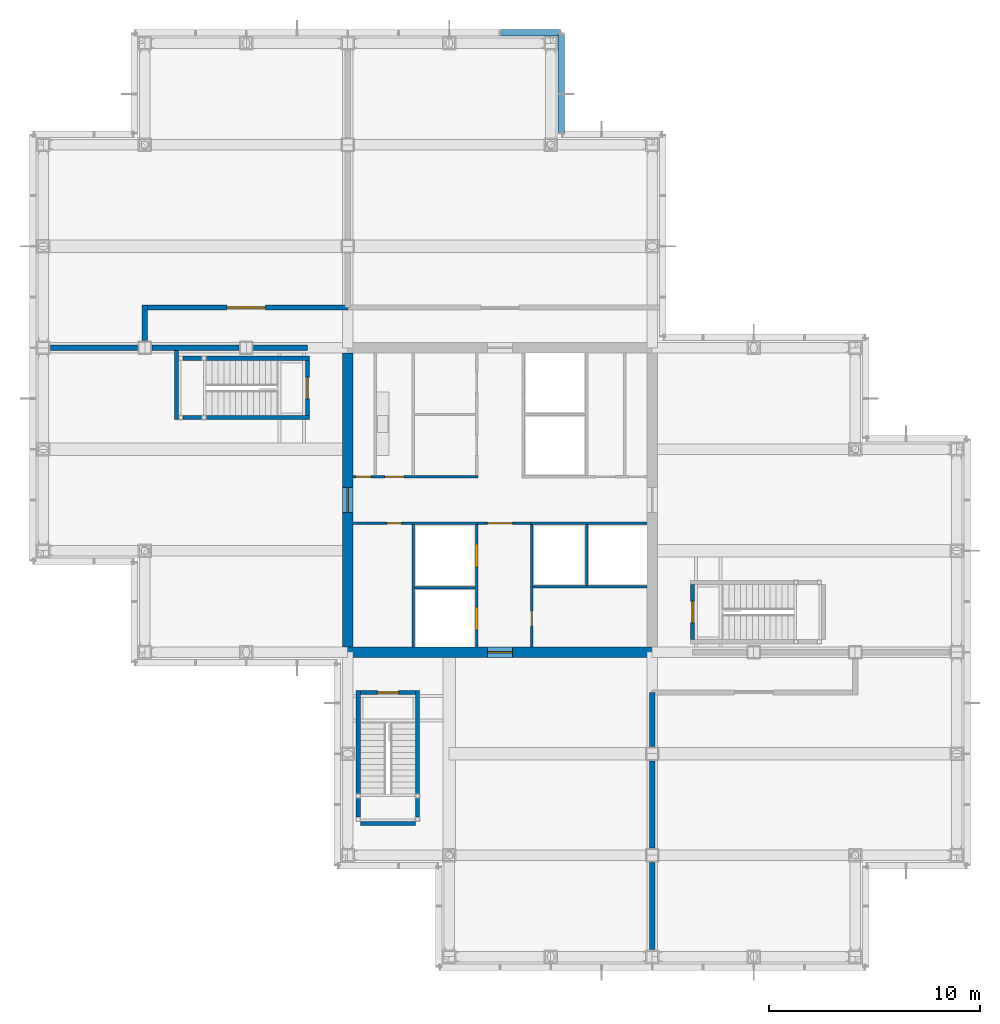
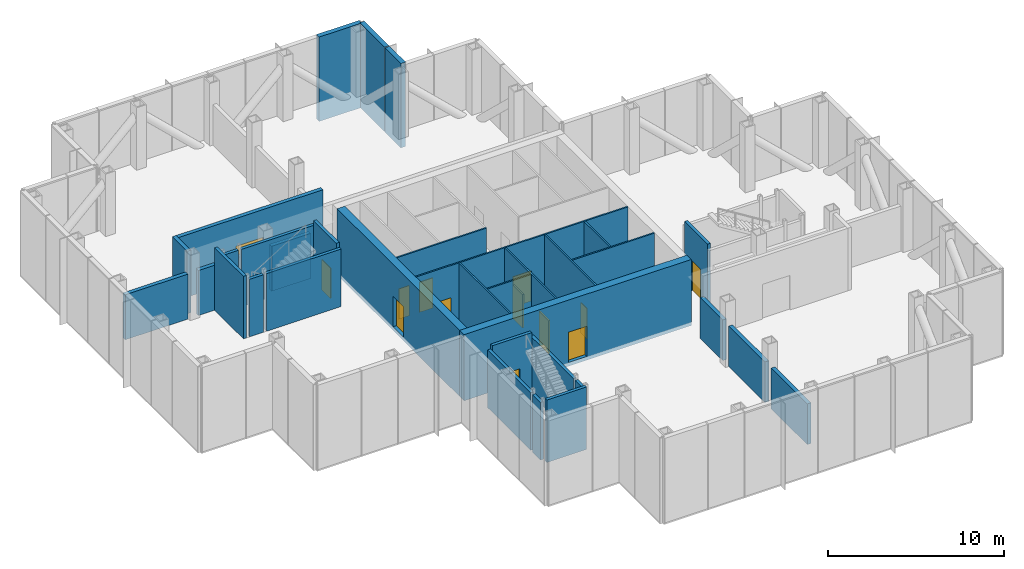
# One storey, part 13 of 17: 33 walls, 13 doors, 3 plates, 13 openings, 2 elements without a shape of their own.
"""IFC4 building model written with IfcOpenShell, lengths in metres."""

from ifc_helpers import new_model, si_unit, direction, frame, frame_2d, origin, origin_2d, place, context, subcontext, project, spatial, rectangle, extrude, material, layer, layer_set, type_object, element, fill, aggregate, save


model = new_model("IFC4")

# Units and contexts
model_context = context("Model", 3, precision=1e-05, world=origin(), true_north=direction((0.0, 1.0)))
body_context = subcontext(model_context, "Body", "Model", "MODEL_VIEW")
ifc_project = project(units=[si_unit("LENGTHUNIT", "METRE"), si_unit("AREAUNIT", "SQUARE_METRE"), si_unit("VOLUMEUNIT", "CUBIC_METRE"), si_unit("PLANEANGLEUNIT", "RADIAN"), si_unit("MASSUNIT", "GRAM", prefix="KILO")], contexts=[model_context])

# Site, building, storey
site_placement = place(None, origin())
site = spatial("IfcSite", under=ifc_project, at=site_placement, CompositionType="ELEMENT")
building_placement = place(site_placement, origin())
building = spatial("IfcBuilding", under=site, at=building_placement, Name="Kvirike Care Tower", CompositionType="ELEMENT")
storey_placement = place(building_placement, frame((0.0, 0.0, 136.5)))
storey = spatial("IfcBuildingStorey", under=building, at=storey_placement, Name="L37", CompositionType="ELEMENT", Elevation=136.5)

# Curtain wall, plates
ifc_material_1 = material(Name="Anodised aluminium stick system", Category="aluminium")
curtain_wall_type = type_object("IfcCurtainWallType", Name="CW-L LOUVRED PLANT SCREEN", PredefinedType="NOTDEFINED", material=ifc_material_1)
curtain_wall_1_placement = place(storey_placement, origin())
curtain_wall_1 = element("IfcCurtainWall", 1, at=curtain_wall_1_placement, inside=storey, type_object=curtain_wall_type, Name="Curtain wall L37 face 7", PredefinedType="NOTDEFINED")
ifc_material_2 = material(Name="Bronze anodised aluminium louvre", Category="aluminium")
ifc_layer_1 = layer(ifc_material_2, 0.300048828125)
ifc_layer_set_1 = layer_set([ifc_layer_1], Name="BRONZE LOUVRE PANEL")
plate_type = type_object("IfcPlateType", Name="BRONZE LOUVRE PANEL", PredefinedType="CURTAIN_PANEL", material=ifc_layer_set_1)
plate_1_placement = place(storey_placement, frame((24.5, 54.266357421875, -1.35009765625), z_axis=(0.0, 0.0, 1.0), x_axis=(0.0, 1.0, 0.0)))
plate_1 = element("IfcPlate", 2, at=plate_1_placement, type_object=plate_type, Name="CW-L panel L37 face 7.1", PredefinedType="CURTAIN_PANEL", context=body_context, shape_type="SweptSolid", body=[
    extrude(rectangle(XDim=1.802490234375, YDim=0.300048828125, at=origin_2d()), origin(), (0.0, 0.0, 1.0), 5.85009765625),
])
plate_2_placement = place(storey_placement, frame((24.5, 56.6337890625, -1.35009765625), z_axis=(0.0, 0.0, 1.0), x_axis=(0.0, 1.0, 0.0)))
plate_2 = element("IfcPlate", 3, at=plate_2_placement, type_object=plate_type, Name="CW-L panel L37 face 7.2", PredefinedType="CURTAIN_PANEL", context=body_context, shape_type="SweptSolid", body=[
    extrude(rectangle(XDim=2.802490234375, YDim=0.300048828125, at=origin_2d()), origin(), (0.0, 0.0, 1.0), 5.85009765625),
])
aggregate(curtain_wall_1, [plate_1, plate_2])

# Curtain wall, plate
curtain_wall_2_placement = place(storey_placement, origin())
curtain_wall_2 = element("IfcCurtainWall", 4, at=curtain_wall_2_placement, inside=storey, type_object=curtain_wall_type, Name="Curtain wall L37 face 8", PredefinedType="NOTDEFINED")
plate_3_placement = place(storey_placement, frame((23.03369140625, 58.10009765625, -1.35009765625), z_axis=(0.0, 0.0, 1.0), x_axis=(-1.0, 0.0, 0.0)))
plate_3 = element("IfcPlate", 5, at=plate_3_placement, type_object=plate_type, Name="CW-L panel L37 face 8.1", PredefinedType="CURTAIN_PANEL", context=body_context, shape_type="SweptSolid", body=[
    extrude(rectangle(XDim=2.802490234375, YDim=0.300048828125, at=origin_2d()), origin(), (0.0, 0.0, 1.0), 5.85009765625),
])
aggregate(curtain_wall_2, [plate_3])

# Wall, opening, door
ifc_material_3 = material(Name="Concrete C50/60", Category="concrete")
ifc_layer_2 = layer(ifc_material_3, 0.5)
ifc_layer_set_2 = layer_set([ifc_layer_2], Name="CORE WALL 500 C50-60")
wall_type_1 = type_object("IfcWallType", Name="CORE WALL 500 C50-60", PredefinedType="SHEAR", material=ifc_layer_set_2)
wall_1_placement = place(storey_placement, frame((14.14990234375, 28.800048828125, -0.25), z_axis=(0.0, 0.0, 1.0), x_axis=(1.0, 0.0, 0.0)))
wall_1 = element("IfcWall", 6, at=wall_1_placement, inside=storey, type_object=wall_type_1, Name="Core wall S L37", PredefinedType="SHEAR", context=body_context, shape_type="SweptSolid", body=[
    extrude(rectangle(XDim=14.900146484375, YDim=0.5, at=frame_2d((7.4501953125, 0.0))), origin(), (0.0, 0.0, 1.0), 4.580078125),
])
opening_1_placement = place(wall_1_placement, frame((6.85009765625, 0.0, 0.25)))
opening_1 = element("IfcOpeningElement", 7, at=opening_1_placement, cuts=wall_1, Name="Opening 37-020", PredefinedType="OPENING", context=body_context, shape_type="SweptSolid", body=[
    extrude(rectangle(XDim=1.199951171875, YDim=2.10009765625, at=frame_2d((0.60009765625, 1.050048828125))), frame((0.0, 0.260498046875, 0.0), z_axis=(0.0, -1.0, 0.0), x_axis=(1.0, 0.0, 0.0)), (0.0, 0.0, 1.0), 0.52099609375),
])
ifc_material_4 = material(Name="Timber door set", Category="wood")
door_type_1 = type_object("IfcDoorType", Name="CORE DOOR 1200", OperationType="SINGLE_SWING_LEFT", PredefinedType="DOOR", material=ifc_material_4)
door_1_placement = place(opening_1_placement, origin())
door_1 = element("IfcDoor", 8, at=door_1_placement, inside=storey, type_object=door_type_1, Name="Core door S L37", OperationType="SINGLE_SWING_LEFT", OverallHeight=2.10009765625, OverallWidth=1.199951171875, PredefinedType="DOOR", context=body_context, shape_type="SweptSolid", body=[
    extrude(rectangle(XDim=1.199951171875, YDim=2.10009765625, at=frame_2d((0.60009765625, 1.050048828125))), frame((0.0, 0.02685546875, 0.0), z_axis=(0.0, -1.0, 0.0), x_axis=(1.0, 0.0, 0.0)), (0.0, 0.0, 1.0), 0.053955078125),
])
fill(opening_1, door_1)

wall_2_placement = place(storey_placement, frame((14.39990234375, 42.949951171875, -0.25), z_axis=(0.0, 0.0, 1.0), x_axis=(0.0, -1.0, 0.0)))
wall_2 = element("IfcWall", 9, at=wall_2_placement, inside=storey, type_object=wall_type_1, Name="Core wall W L37", PredefinedType="SHEAR", context=body_context, shape_type="SweptSolid", body=[
    extrude(rectangle(XDim=13.89990234375, YDim=0.5, at=frame_2d((6.949951171875, 0.0))), origin(), (0.0, 0.0, 1.0), 4.580078125),
])
opening_2_placement = place(wall_2_placement, frame((6.35009765625, 0.0, 0.25)))
opening_2 = element("IfcOpeningElement", 10, at=opening_2_placement, cuts=wall_2, Name="Opening 37-021", PredefinedType="OPENING", context=body_context, shape_type="SweptSolid", body=[
    extrude(rectangle(XDim=1.199951171875, YDim=2.10009765625, at=frame_2d((0.60009765625, 1.050048828125))), frame((0.0, 0.260498046875, 0.0), z_axis=(0.0, -1.0, 0.0), x_axis=(1.0, 0.0, 0.0)), (0.0, 0.0, 1.0), 0.52099609375),
])
door_2_placement = place(opening_2_placement, origin())
door_2 = element("IfcDoor", 11, at=door_2_placement, inside=storey, type_object=door_type_1, Name="Core door W L37", OperationType="SINGLE_SWING_LEFT", OverallHeight=2.10009765625, OverallWidth=1.199951171875, PredefinedType="DOOR", context=body_context, shape_type="SweptSolid", body=[
    extrude(rectangle(XDim=1.199951171875, YDim=2.10009765625, at=frame_2d((0.60009765625, 1.050048828125))), frame((0.0, 0.02685546875, 0.0), z_axis=(0.0, -1.0, 0.0), x_axis=(1.0, 0.0, 0.0)), (0.0, 0.0, 1.0), 0.053955078125),
])
fill(opening_2, door_2)

ifc_material_5 = material(Name="Concrete blockwork", Category="masonry")
ifc_layer_3 = layer(ifc_material_5, 0.25)
ifc_layer_set_3 = layer_set([ifc_layer_3], Name="PLANT ROOM WALL 250")
wall_type_2 = type_object("IfcWallType", Name="PLANT ROOM WALL 250", PredefinedType="SOLIDWALL", material=ifc_layer_set_3)
wall_3_placement = place(storey_placement, frame((14.39990234375, 45.10009765625, 0.0), z_axis=(0.0, 0.0, 1.0), x_axis=(-1.0, 0.0, 0.0)))
wall_3 = element("IfcWall", 12, at=wall_3_placement, inside=storey, type_object=wall_type_2, Name="Plant Room Wall 250 L37", PredefinedType="SOLIDWALL", context=body_context, shape_type="SweptSolid", body=[
    extrude(rectangle(XDim=9.599853515625, YDim=0.25, at=frame_2d((4.7998046875, 0.0))), origin(), (0.0, 0.0, 1.0), 4.330078125),
])
opening_3_placement = place(wall_3_placement, frame((3.89990234375, 0.0, 0.0)))
opening_3 = element("IfcOpeningElement", 13, at=opening_3_placement, cuts=wall_3, Name="Opening 37-002", PredefinedType="OPENING", context=body_context, shape_type="SweptSolid", body=[
    extrude(rectangle(XDim=1.800048828125, YDim=2.39990234375, at=frame_2d((0.89990234375, 1.199951171875))), frame((0.0, 0.135498046875, 0.0), z_axis=(0.0, -1.0, 0.0), x_axis=(1.0, 0.0, 0.0)), (0.0, 0.0, 1.0), 0.27099609375),
])
ifc_material_6 = material(Name="Timber door set", Category="wood")
door_type_2 = type_object("IfcDoorType", Name="PLANT ROOM DOOR 1800", OperationType="DOUBLE_DOOR_SINGLE_SWING", PredefinedType="DOOR", material=ifc_material_6)
door_3_placement = place(opening_3_placement, frame((1.800048828125, 0.0, 0.0), z_axis=(0.0, 0.0, 1.0), x_axis=(-1.0, 0.0, 0.0)))
door_3 = element("IfcDoor", 14, at=door_3_placement, inside=storey, type_object=door_type_2, Name="Booster pump room door", OperationType="DOUBLE_DOOR_SINGLE_SWING", OverallHeight=2.39990234375, OverallWidth=1.800048828125, PredefinedType="DOOR", context=body_context, shape_type="SweptSolid", body=[
    extrude(rectangle(XDim=1.800048828125, YDim=2.39990234375, at=frame_2d((0.89990234375, 1.199951171875))), frame((0.0, 0.031982421875, 0.0), z_axis=(0.0, -1.0, 0.0), x_axis=(1.0, 0.0, 0.0)), (0.0, 0.0, 1.0), 0.06396484375),
])
fill(opening_3, door_3)

# Walls
wall_4_placement = place(storey_placement, frame((4.800048828125, 45.22509765625, 0.0), z_axis=(0.0, 0.0, 1.0), x_axis=(0.0, -1.0, 0.0)))
element("IfcWall", 15, at=wall_4_placement, inside=storey, type_object=wall_type_2, Name="Plant Room Wall 250 L37", PredefinedType="SOLIDWALL", context=body_context, shape_type="SweptSolid", body=[
    extrude(rectangle(XDim=1.68017578125, YDim=0.25, at=frame_2d((0.840087890625, 0.0))), origin(), (0.0, 0.0, 1.0), 4.330078125),
])
wall_5_placement = place(storey_placement, frame((12.5, 43.199951171875, 0.0), z_axis=(0.0, 0.0, 1.0), x_axis=(-1.0, 0.0, 0.0)))
element("IfcWall", 16, at=wall_5_placement, inside=storey, type_object=wall_type_2, Name="Plant Room Wall 250 L37", PredefinedType="SOLIDWALL", context=body_context, shape_type="SweptSolid", body=[
    extrude(rectangle(XDim=2.554931640625, YDim=0.25, at=frame_2d((1.27734375, 0.0))), origin(), (0.0, 0.0, 1.0), 3.1201171875),
])
wall_6_placement = place(storey_placement, frame((9.2548828125, 43.199951171875, 0.0), z_axis=(0.0, 0.0, 1.0), x_axis=(-1.0, 0.0, 0.0)))
element("IfcWall", 17, at=wall_6_placement, inside=storey, type_object=wall_type_2, Name="Plant Room Wall 250 L37", PredefinedType="SOLIDWALL", context=body_context, shape_type="SweptSolid", body=[
    extrude(rectangle(XDim=4.10986328125, YDim=0.25, at=frame_2d((2.054931640625, 0.0))), origin(), (0.0, 0.0, 1.0), 3.1201171875),
])
wall_7_placement = place(storey_placement, frame((4.455078125, 43.199951171875, 0.0), z_axis=(0.0, 0.0, 1.0), x_axis=(-1.0, 0.0, 0.0)))
element("IfcWall", 18, at=wall_7_placement, inside=storey, type_object=wall_type_2, Name="Plant Room Wall 250 L37", PredefinedType="SOLIDWALL", context=body_context, shape_type="SweptSolid", body=[
    extrude(rectangle(XDim=4.110107421875, YDim=0.25, at=frame_2d((2.05517578125, 0.0))), origin(), (0.0, 0.0, 1.0), 3.1201171875),
])
wall_8_placement = place(storey_placement, frame((28.800048828125, 14.7451171875, 0.0), z_axis=(0.0, 0.0, 1.0), x_axis=(0.0, 1.0, 0.0)))
element("IfcWall", 19, at=wall_8_placement, inside=storey, type_object=wall_type_2, Name="Plant Room Wall 250 L37", PredefinedType="SOLIDWALL", context=body_context, shape_type="SweptSolid", body=[
    extrude(rectangle(XDim=4.10986328125, YDim=0.25, at=frame_2d((2.054931640625, 0.0))), origin(), (0.0, 0.0, 1.0), 2.820068359375),
])
wall_9_placement = place(storey_placement, frame((28.800048828125, 19.544921875, 0.0), z_axis=(0.0, 0.0, 1.0), x_axis=(0.0, 1.0, 0.0)))
element("IfcWall", 20, at=wall_9_placement, inside=storey, type_object=wall_type_2, Name="Plant Room Wall 250 L37", PredefinedType="SOLIDWALL", context=body_context, shape_type="SweptSolid", body=[
    extrude(rectangle(XDim=4.110107421875, YDim=0.25, at=frame_2d((2.05517578125, 0.0))), origin(), (0.0, 0.0, 1.0), 2.820068359375),
])
wall_10_placement = place(storey_placement, frame((28.800048828125, 24.344970703125, 0.0), z_axis=(0.0, 0.0, 1.0), x_axis=(0.0, 1.0, 0.0)))
element("IfcWall", 21, at=wall_10_placement, inside=storey, type_object=wall_type_2, Name="Plant Room Wall 250 L37", PredefinedType="SOLIDWALL", context=body_context, shape_type="SweptSolid", body=[
    extrude(rectangle(XDim=2.554931640625, YDim=0.25, at=frame_2d((1.27734375, 0.0))), origin(), (0.0, 0.0, 1.0), 2.820068359375),
])

# Wall, openings, doors
ifc_material_7 = material(Name="Gypsum shaft wall system", Category="gypsum")
ifc_layer_4 = layer(ifc_material_7, 0.10009765625)
ifc_layer_set_4 = layer_set([ifc_layer_4], Name="SHAFT WALL 100")
wall_type_3 = type_object("IfcWallType", Name="SHAFT WALL 100", PredefinedType="SOLIDWALL", material=ifc_layer_set_4)
wall_11_placement = place(storey_placement, frame((20.5, 29.050048828125, 0.0), z_axis=(0.0, 0.0, 1.0), x_axis=(0.0, 1.0, 0.0)))
wall_11 = element("IfcWall", 22, at=wall_11_placement, inside=storey, type_object=wall_type_3, Name="Shaft Wall 100 L37", PredefinedType="SOLIDWALL", context=body_context, shape_type="SweptSolid", body=[
    extrude(rectangle(XDim=5.800048828125, YDim=0.10009765625, at=frame_2d((2.89990234375, 0.0))), origin(), (0.0, 0.0, 1.0), 4.330078125),
])
opening_4_placement = place(wall_11_placement, frame((0.800048828125, 0.0, 0.0)))
opening_4 = element("IfcOpeningElement", 23, at=opening_4_placement, cuts=wall_11, Name="Opening 37-007", PredefinedType="OPENING", context=body_context, shape_type="SweptSolid", body=[
    extrude(rectangle(XDim=1.10009765625, YDim=2.300048828125, at=frame_2d((0.550048828125, 1.14990234375))), frame((0.0, 0.060546875, 0.0), z_axis=(0.0, -1.0, 0.0), x_axis=(1.0, 0.0, 0.0)), (0.0, 0.0, 1.0), 0.12109375),
])
opening_5_placement = place(wall_11_placement, frame((3.77490234375, 0.0, 0.0)))
opening_5 = element("IfcOpeningElement", 24, at=opening_5_placement, cuts=wall_11, Name="Opening 37-008", PredefinedType="OPENING", context=body_context, shape_type="SweptSolid", body=[
    extrude(rectangle(XDim=1.10009765625, YDim=2.300048828125, at=frame_2d((0.550048828125, 1.14990234375))), frame((0.0, 0.060546875, 0.0), z_axis=(0.0, -1.0, 0.0), x_axis=(1.0, 0.0, 0.0)), (0.0, 0.0, 1.0), 0.12109375),
])
ifc_material_8 = material(Name="Aluminium door frame", Category="aluminium")
door_type_3 = type_object("IfcDoorType", Name="FIRE-FIGHTING LIFT LANDING DOOR 1100", OperationType="SLIDING_TO_LEFT", PredefinedType="DOOR", material=ifc_material_8)
door_4_placement = place(opening_4_placement, origin())
door_4 = element("IfcDoor", 25, at=door_4_placement, inside=storey, type_object=door_type_3, Name="Lift FF1 landing door", OperationType="SLIDING_TO_LEFT", OverallHeight=2.300048828125, OverallWidth=1.10009765625, PredefinedType="DOOR", context=body_context, shape_type="SweptSolid", body=[
    extrude(rectangle(XDim=1.10009765625, YDim=2.300048828125, at=frame_2d((0.550048828125, 1.14990234375))), frame((0.0, 0.0498046875, 0.0), z_axis=(0.0, -1.0, 0.0), x_axis=(1.0, 0.0, 0.0)), (0.0, 0.0, 1.0), 0.099609375),
])
fill(opening_4, door_4)
door_5_placement = place(opening_5_placement, origin())
door_5 = element("IfcDoor", 26, at=door_5_placement, inside=storey, type_object=door_type_3, Name="Lift FF2 landing door", OperationType="SLIDING_TO_LEFT", OverallHeight=2.300048828125, OverallWidth=1.10009765625, PredefinedType="DOOR", context=body_context, shape_type="SweptSolid", body=[
    extrude(rectangle(XDim=1.10009765625, YDim=2.300048828125, at=frame_2d((0.550048828125, 1.14990234375))), frame((0.0, 0.0498046875, 0.0), z_axis=(0.0, -1.0, 0.0), x_axis=(1.0, 0.0, 0.0)), (0.0, 0.0, 1.0), 0.099609375),
])
fill(opening_5, door_5)

# Wall, opening, door
wall_12_placement = place(storey_placement, frame((23.10009765625, 29.050048828125, 0.0), z_axis=(0.0, 0.0, 1.0), x_axis=(0.0, 1.0, 0.0)))
wall_12 = element("IfcWall", 27, at=wall_12_placement, inside=storey, type_object=wall_type_3, Name="Shaft Wall 100 L37", PredefinedType="SOLIDWALL", context=body_context, shape_type="SweptSolid", body=[
    extrude(rectangle(XDim=5.800048828125, YDim=0.10009765625, at=frame_2d((2.89990234375, 0.0))), origin(), (0.0, 0.0, 1.0), 4.330078125),
])
opening_6_placement = place(wall_12_placement, frame((1.0, 0.0, 0.0)))
opening_6 = element("IfcOpeningElement", 28, at=opening_6_placement, cuts=wall_12, Name="Opening 37-013", PredefinedType="OPENING", context=body_context, shape_type="SweptSolid", body=[
    extrude(rectangle(XDim=0.699951171875, YDim=2.10009765625, at=frame_2d((0.35009765625, 1.050048828125))), frame((0.0, 0.060546875, 0.0), z_axis=(0.0, -1.0, 0.0), x_axis=(1.0, 0.0, 0.0)), (0.0, 0.0, 1.0), 0.12109375),
])
ifc_material_9 = material(Name="Timber door set", Category="wood")
door_type_4 = type_object("IfcDoorType", Name="RISER DOOR 700", OperationType="SINGLE_SWING_LEFT", PredefinedType="DOOR", material=ifc_material_9)
door_6_placement = place(opening_6_placement, origin())
door_6 = element("IfcDoor", 29, at=door_6_placement, inside=storey, type_object=door_type_4, Name="Riser door", OperationType="SINGLE_SWING_RIGHT", OverallHeight=2.10009765625, OverallWidth=0.699951171875, PredefinedType="DOOR", context=body_context, shape_type="SweptSolid", body=[
    extrude(rectangle(XDim=0.699951171875, YDim=2.10009765625, at=frame_2d((0.35009765625, 1.050048828125))), frame((0.0, 0.02685546875, 0.0), z_axis=(0.0, -1.0, 0.0), x_axis=(1.0, 0.0, 0.0)), (0.0, 0.0, 1.0), 0.053955078125),
])
fill(opening_6, door_6)

wall_13_placement = place(storey_placement, frame((14.64990234375, 34.89990234375, 0.0), z_axis=(0.0, 0.0, 1.0), x_axis=(1.0, 0.0, 0.0)))
wall_13 = element("IfcWall", 30, at=wall_13_placement, inside=storey, type_object=wall_type_3, Name="Shaft Wall 100 L37", PredefinedType="SOLIDWALL", context=body_context, shape_type="SweptSolid", body=[
    extrude(rectangle(XDim=5.900146484375, YDim=0.10009765625, at=frame_2d((2.9501953125, 0.0))), origin(), (0.0, 0.0, 1.0), 4.330078125),
])
opening_7_placement = place(wall_13_placement, frame((1.60009765625, 0.0, 0.0)))
opening_7 = element("IfcOpeningElement", 31, at=opening_7_placement, cuts=wall_13, Name="Opening 37-014", PredefinedType="OPENING", context=body_context, shape_type="SweptSolid", body=[
    extrude(rectangle(XDim=0.699951171875, YDim=2.10009765625, at=frame_2d((0.35009765625, 1.050048828125))), frame((0.0, 0.060546875, 0.0), z_axis=(0.0, -1.0, 0.0), x_axis=(1.0, 0.0, 0.0)), (0.0, 0.0, 1.0), 0.12109375),
])
door_7_placement = place(opening_7_placement, frame((0.699951171875, 0.0, 0.0), z_axis=(0.0, 0.0, 1.0), x_axis=(-1.0, 0.0, 0.0)))
door_7 = element("IfcDoor", 32, at=door_7_placement, inside=storey, type_object=door_type_4, Name="Riser door", OperationType="SINGLE_SWING_RIGHT", OverallHeight=2.10009765625, OverallWidth=0.699951171875, PredefinedType="DOOR", context=body_context, shape_type="SweptSolid", body=[
    extrude(rectangle(XDim=0.699951171875, YDim=2.10009765625, at=frame_2d((0.35009765625, 1.050048828125))), frame((0.0, 0.02685546875, 0.0), z_axis=(0.0, -1.0, 0.0), x_axis=(1.0, 0.0, 0.0)), (0.0, 0.0, 1.0), 0.053955078125),
])
fill(opening_7, door_7)

# Wall
wall_14_placement = place(storey_placement, frame((23.050048828125, 34.89990234375, 0.0), z_axis=(0.0, 0.0, 1.0), x_axis=(1.0, 0.0, 0.0)))
element("IfcWall", 33, at=wall_14_placement, inside=storey, type_object=wall_type_3, Name="Shaft Wall 100 L37", PredefinedType="SOLIDWALL", context=body_context, shape_type="SweptSolid", body=[
    extrude(rectangle(XDim=5.5, YDim=0.10009765625, at=frame_2d((2.75, 0.0))), origin(), (0.0, 0.0, 1.0), 4.330078125),
])

# Wall, openings, doors
wall_15_placement = place(storey_placement, frame((14.64990234375, 37.10009765625, 0.0), z_axis=(0.0, 0.0, 1.0), x_axis=(1.0, 0.0, 0.0)))
wall_15 = element("IfcWall", 34, at=wall_15_placement, inside=storey, type_object=wall_type_3, Name="Shaft Wall 100 L37", PredefinedType="SOLIDWALL", context=body_context, shape_type="SweptSolid", body=[
    extrude(rectangle(XDim=5.900146484375, YDim=0.10009765625, at=frame_2d((2.9501953125, 0.0))), origin(), (0.0, 0.0, 1.0), 4.330078125),
])
opening_8_placement = place(wall_15_placement, frame((0.14990234375, 0.0, 0.0)))
opening_8 = element("IfcOpeningElement", 35, at=opening_8_placement, cuts=wall_15, Name="Opening 37-015", PredefinedType="OPENING", context=body_context, shape_type="SweptSolid", body=[
    extrude(rectangle(XDim=0.699951171875, YDim=2.10009765625, at=frame_2d((0.35009765625, 1.050048828125))), frame((0.0, 0.060546875, 0.0), z_axis=(0.0, -1.0, 0.0), x_axis=(1.0, 0.0, 0.0)), (0.0, 0.0, 1.0), 0.12109375),
])
opening_9_placement = place(wall_15_placement, frame((1.5, 0.0, 0.0)))
opening_9 = element("IfcOpeningElement", 36, at=opening_9_placement, cuts=wall_15, Name="Opening 37-016", PredefinedType="OPENING", context=body_context, shape_type="SweptSolid", body=[
    extrude(rectangle(XDim=0.89990234375, YDim=2.10009765625, at=frame_2d((0.449951171875, 1.050048828125))), frame((0.0, 0.060546875, 0.0), z_axis=(0.0, -1.0, 0.0), x_axis=(1.0, 0.0, 0.0)), (0.0, 0.0, 1.0), 0.12109375),
])
door_8_placement = place(opening_8_placement, origin())
door_8 = element("IfcDoor", 37, at=door_8_placement, inside=storey, type_object=door_type_4, Name="Riser door", OperationType="SINGLE_SWING_LEFT", OverallHeight=2.10009765625, OverallWidth=0.699951171875, PredefinedType="DOOR", context=body_context, shape_type="SweptSolid", body=[
    extrude(rectangle(XDim=0.699951171875, YDim=2.10009765625, at=frame_2d((0.35009765625, 1.050048828125))), frame((0.0, 0.02685546875, 0.0), z_axis=(0.0, -1.0, 0.0), x_axis=(1.0, 0.0, 0.0)), (0.0, 0.0, 1.0), 0.053955078125),
])
fill(opening_8, door_8)
ifc_material_10 = material(Name="Timber door set", Category="wood")
door_type_5 = type_object("IfcDoorType", Name="STORE DOOR 900", OperationType="SINGLE_SWING_LEFT", PredefinedType="DOOR", material=ifc_material_10)
door_9_placement = place(opening_9_placement, origin())
door_9 = element("IfcDoor", 38, at=door_9_placement, inside=storey, type_object=door_type_5, Name="Resident pantry door", OperationType="SINGLE_SWING_LEFT", OverallHeight=2.10009765625, OverallWidth=0.89990234375, PredefinedType="DOOR", context=body_context, shape_type="SweptSolid", body=[
    extrude(rectangle(XDim=0.89990234375, YDim=2.10009765625, at=frame_2d((0.449951171875, 1.050048828125))), frame((0.0, 0.02685546875, 0.0), z_axis=(0.0, -1.0, 0.0), x_axis=(1.0, 0.0, 0.0)), (0.0, 0.0, 1.0), 0.053955078125),
])
fill(opening_9, door_9)

# Wall, opening, door
wall_16_placement = place(storey_placement, frame((20.550048828125, 34.89990234375, 0.0), z_axis=(0.0, 0.0, 1.0), x_axis=(1.0, 0.0, 0.0)))
wall_16 = element("IfcWall", 39, at=wall_16_placement, inside=storey, type_object=wall_type_3, Name="Shaft Wall 100 L37", PredefinedType="SOLIDWALL", context=body_context, shape_type="SweptSolid", body=[
    extrude(rectangle(XDim=2.5, YDim=0.10009765625, at=frame_2d((1.25, 0.0))), origin(), (0.0, 0.0, 1.0), 4.330078125),
])
opening_10_placement = place(wall_16_placement, frame((0.449951171875, 0.0, 0.0)))
opening_10 = element("IfcOpeningElement", 40, at=opening_10_placement, cuts=wall_16, Name="Opening 37-019", PredefinedType="OPENING", context=body_context, shape_type="SweptSolid", body=[
    extrude(rectangle(XDim=1.199951171875, YDim=2.10009765625, at=frame_2d((0.60009765625, 1.050048828125))), frame((0.0, 0.060546875, 0.0), z_axis=(0.0, -1.0, 0.0), x_axis=(1.0, 0.0, 0.0)), (0.0, 0.0, 1.0), 0.12109375),
])
door_10_placement = place(opening_10_placement, frame((1.199951171875, 0.0, 0.0), z_axis=(0.0, 0.0, 1.0), x_axis=(-1.0, 0.0, 0.0)))
door_10 = element("IfcDoor", 41, at=door_10_placement, inside=storey, type_object=door_type_1, Name="Fire-fighting lobby door", OperationType="SINGLE_SWING_LEFT", OverallHeight=2.10009765625, OverallWidth=1.199951171875, PredefinedType="DOOR", context=body_context, shape_type="SweptSolid", body=[
    extrude(rectangle(XDim=1.199951171875, YDim=2.10009765625, at=frame_2d((0.60009765625, 1.050048828125))), frame((0.0, 0.02685546875, 0.0), z_axis=(0.0, -1.0, 0.0), x_axis=(1.0, 0.0, 0.0)), (0.0, 0.0, 1.0), 0.053955078125),
])
fill(opening_10, door_10)

# Walls
wall_17_placement = place(storey_placement, frame((17.5, 29.050048828125, 0.0), z_axis=(0.0, 0.0, 1.0), x_axis=(0.0, 1.0, 0.0)))
element("IfcWall", 42, at=wall_17_placement, inside=storey, type_object=wall_type_3, Name="Shaft Wall 100 L37", PredefinedType="SOLIDWALL", context=body_context, shape_type="SweptSolid", body=[
    extrude(rectangle(XDim=5.800048828125, YDim=0.10009765625, at=frame_2d((2.89990234375, 0.0))), origin(), (0.0, 0.0, 1.0), 4.330078125),
])
wall_18_placement = place(storey_placement, frame((17.550048828125, 31.85009765625, 0.0), z_axis=(0.0, 0.0, 1.0), x_axis=(1.0, 0.0, 0.0)))
element("IfcWall", 43, at=wall_18_placement, inside=storey, type_object=wall_type_3, Name="Shaft Wall 100 L37", PredefinedType="SOLIDWALL", context=body_context, shape_type="SweptSolid", body=[
    extrude(rectangle(XDim=2.89990234375, YDim=0.10009765625, at=frame_2d((1.449951171875, 0.0))), origin(), (0.0, 0.0, 1.0), 4.330078125),
])
wall_19_placement = place(storey_placement, frame((25.699951171875, 31.949951171875, 0.0), z_axis=(0.0, 0.0, 1.0), x_axis=(0.0, 1.0, 0.0)))
element("IfcWall", 44, at=wall_19_placement, inside=storey, type_object=wall_type_3, Name="Shaft Wall 100 L37", PredefinedType="SOLIDWALL", context=body_context, shape_type="SweptSolid", body=[
    extrude(rectangle(XDim=2.900146484375, YDim=0.10009765625, at=frame_2d((1.4501953125, 0.0))), origin(), (0.0, 0.0, 1.0), 4.330078125),
])
wall_20_placement = place(storey_placement, frame((23.14990234375, 31.89990234375, 0.0), z_axis=(0.0, 0.0, 1.0), x_axis=(1.0, 0.0, 0.0)))
element("IfcWall", 45, at=wall_20_placement, inside=storey, type_object=wall_type_3, Name="Shaft Wall 100 L37", PredefinedType="SOLIDWALL", context=body_context, shape_type="SweptSolid", body=[
    extrude(rectangle(XDim=5.400146484375, YDim=0.10009765625, at=frame_2d((2.7001953125, 0.0))), origin(), (0.0, 0.0, 1.0), 4.330078125),
])
ifc_material_11 = material(Name="Concrete C40/50", Category="concrete")
ifc_layer_5 = layer(ifc_material_11, 0.199951171875)
ifc_layer_set_5 = layer_set([ifc_layer_5], Name="STAIR WALL 200")
wall_type_4 = type_object("IfcWallType", Name="STAIR WALL 200", PredefinedType="SOLIDWALL", material=ifc_layer_set_5)
wall_21_placement = place(storey_placement, frame((6.60009765625, 42.699951171875, 0.0), z_axis=(0.0, 0.0, 1.0), x_axis=(1.0, 0.0, 0.0)))
element("IfcWall", 46, at=wall_21_placement, inside=storey, type_object=wall_type_4, Name="Stair Wall 200 L37", PredefinedType="SOLIDWALL", context=body_context, shape_type="SweptSolid", body=[
    extrude(rectangle(XDim=0.89990234375, YDim=0.199951171875, at=frame_2d((0.449951171875, 0.0))), origin(), (0.0, 0.0, 1.0), 3.989990234375),
])
wall_22_placement = place(storey_placement, frame((7.699951171875, 42.699951171875, 0.0), z_axis=(0.0, 0.0, 1.0), x_axis=(1.0, 0.0, 0.0)))
element("IfcWall", 47, at=wall_22_placement, inside=storey, type_object=wall_type_4, Name="Stair Wall 200 L37", PredefinedType="SOLIDWALL", context=body_context, shape_type="SweptSolid", body=[
    extrude(rectangle(XDim=4.900146484375, YDim=0.199951171875, at=frame_2d((2.4501953125, 0.0))), origin(), (0.0, 0.0, 1.0), 3.989990234375),
])
wall_23_placement = place(storey_placement, frame((6.60009765625, 39.89990234375, 0.0), z_axis=(0.0, 0.0, 1.0), x_axis=(1.0, 0.0, 0.0)))
element("IfcWall", 48, at=wall_23_placement, inside=storey, type_object=wall_type_4, Name="Stair Wall 200 L37", PredefinedType="SOLIDWALL", context=body_context, shape_type="SweptSolid", body=[
    extrude(rectangle(XDim=0.89990234375, YDim=0.199951171875, at=frame_2d((0.449951171875, 0.0))), origin(), (0.0, 0.0, 1.0), 3.989990234375),
])
wall_24_placement = place(storey_placement, frame((7.699951171875, 39.89990234375, 0.0), z_axis=(0.0, 0.0, 1.0), x_axis=(1.0, 0.0, 0.0)))
element("IfcWall", 49, at=wall_24_placement, inside=storey, type_object=wall_type_4, Name="Stair Wall 200 L37", PredefinedType="SOLIDWALL", context=body_context, shape_type="SweptSolid", body=[
    extrude(rectangle(XDim=4.900146484375, YDim=0.199951171875, at=frame_2d((2.4501953125, 0.0))), origin(), (0.0, 0.0, 1.0), 3.989990234375),
])
wall_25_placement = place(storey_placement, frame((6.300048828125, 43.074951171875, 0.0), z_axis=(0.0, 0.0, 1.0), x_axis=(0.0, -1.0, 0.0)))
element("IfcWall", 50, at=wall_25_placement, inside=storey, type_object=wall_type_4, Name="Stair Wall 200 L37", PredefinedType="SOLIDWALL", context=body_context, shape_type="SweptSolid", body=[
    extrude(rectangle(XDim=3.27490234375, YDim=0.199951171875, at=frame_2d((1.637451171875, 0.0))), origin(), (0.0, 0.0, 1.0), 4.330078125),
])

# Wall, opening, door
wall_26_placement = place(storey_placement, frame((12.5, 42.60009765625, 0.0), z_axis=(0.0, 0.0, 1.0), x_axis=(0.0, -1.0, 0.0)))
wall_26 = element("IfcWall", 51, at=wall_26_placement, inside=storey, type_object=wall_type_4, Name="Stair Wall 200 L37", PredefinedType="SOLIDWALL", context=body_context, shape_type="SweptSolid", body=[
    extrude(rectangle(XDim=2.60009765625, YDim=0.199951171875, at=frame_2d((1.300048828125, 0.0))), origin(), (0.0, 0.0, 1.0), 4.330078125),
])
opening_11_placement = place(wall_26_placement, frame((0.800048828125, 0.0, 0.0)))
opening_11 = element("IfcOpeningElement", 52, at=opening_11_placement, cuts=wall_26, Name="Opening 37-001", PredefinedType="OPENING", context=body_context, shape_type="SweptSolid", body=[
    extrude(rectangle(XDim=1.0, YDim=2.10009765625, at=frame_2d((0.5, 1.050048828125))), frame((0.0, 0.110595703125, 0.0), z_axis=(0.0, -1.0, 0.0), x_axis=(1.0, 0.0, 0.0)), (0.0, 0.0, 1.0), 0.220947265625),
])
ifc_material_12 = material(Name="Timber door set", Category="wood")
door_type_6 = type_object("IfcDoorType", Name="STAIR DOOR 1000", OperationType="SINGLE_SWING_LEFT", PredefinedType="DOOR", material=ifc_material_12)
door_11_placement = place(opening_11_placement, frame((1.0, 0.0, 0.0), z_axis=(0.0, 0.0, 1.0), x_axis=(-1.0, 0.0, 0.0)))
door_11 = element("IfcDoor", 53, at=door_11_placement, inside=storey, type_object=door_type_6, Name="Stair 1 door", OperationType="SINGLE_SWING_LEFT", OverallHeight=2.10009765625, OverallWidth=1.0, PredefinedType="DOOR", context=body_context, shape_type="SweptSolid", body=[
    extrude(rectangle(XDim=1.0, YDim=2.10009765625, at=frame_2d((0.5, 1.050048828125))), frame((0.0, 0.031982421875, 0.0), z_axis=(0.0, -1.0, 0.0), x_axis=(1.0, 0.0, 0.0)), (0.0, 0.0, 1.0), 0.06396484375),
])
fill(opening_11, door_11)

# Walls
wall_27_placement = place(storey_placement, frame((14.89990234375, 21.0, 0.0), z_axis=(0.0, 0.0, 1.0), x_axis=(0.0, 1.0, 0.0)))
element("IfcWall", 54, at=wall_27_placement, inside=storey, type_object=wall_type_4, Name="Stair Wall 200 L37", PredefinedType="SOLIDWALL", context=body_context, shape_type="SweptSolid", body=[
    extrude(rectangle(XDim=0.89990234375, YDim=0.199951171875, at=frame_2d((0.449951171875, 0.0))), origin(), (0.0, 0.0, 1.0), 3.989990234375),
])
wall_28_placement = place(storey_placement, frame((14.89990234375, 22.10009765625, 0.0), z_axis=(0.0, 0.0, 1.0), x_axis=(0.0, 1.0, 0.0)))
element("IfcWall", 55, at=wall_28_placement, inside=storey, type_object=wall_type_4, Name="Stair Wall 200 L37", PredefinedType="SOLIDWALL", context=body_context, shape_type="SweptSolid", body=[
    extrude(rectangle(XDim=4.89990234375, YDim=0.199951171875, at=frame_2d((2.449951171875, 0.0))), origin(), (0.0, 0.0, 1.0), 3.989990234375),
])
wall_29_placement = place(storey_placement, frame((17.699951171875, 21.0, 0.0), z_axis=(0.0, 0.0, 1.0), x_axis=(0.0, 1.0, 0.0)))
element("IfcWall", 56, at=wall_29_placement, inside=storey, type_object=wall_type_4, Name="Stair Wall 200 L37", PredefinedType="SOLIDWALL", context=body_context, shape_type="SweptSolid", body=[
    extrude(rectangle(XDim=0.89990234375, YDim=0.199951171875, at=frame_2d((0.449951171875, 0.0))), origin(), (0.0, 0.0, 1.0), 3.989990234375),
])
wall_30_placement = place(storey_placement, frame((17.699951171875, 22.10009765625, 0.0), z_axis=(0.0, 0.0, 1.0), x_axis=(0.0, 1.0, 0.0)))
element("IfcWall", 57, at=wall_30_placement, inside=storey, type_object=wall_type_4, Name="Stair Wall 200 L37", PredefinedType="SOLIDWALL", context=body_context, shape_type="SweptSolid", body=[
    extrude(rectangle(XDim=4.89990234375, YDim=0.199951171875, at=frame_2d((2.449951171875, 0.0))), origin(), (0.0, 0.0, 1.0), 3.989990234375),
])
wall_31_placement = place(storey_placement, frame((15.0, 20.699951171875, 0.0), z_axis=(0.0, 0.0, 1.0), x_axis=(1.0, 0.0, 0.0)))
element("IfcWall", 58, at=wall_31_placement, inside=storey, type_object=wall_type_4, Name="Stair Wall 200 L37", PredefinedType="SOLIDWALL", context=body_context, shape_type="SweptSolid", body=[
    extrude(rectangle(XDim=2.60009765625, YDim=0.199951171875, at=frame_2d((1.300048828125, 0.0))), origin(), (0.0, 0.0, 1.0), 4.330078125),
])

# Wall, opening, door
wall_32_placement = place(storey_placement, frame((15.0, 26.89990234375, 0.0), z_axis=(0.0, 0.0, 1.0), x_axis=(1.0, 0.0, 0.0)))
wall_32 = element("IfcWall", 59, at=wall_32_placement, inside=storey, type_object=wall_type_4, Name="Stair Wall 200 L37", PredefinedType="SOLIDWALL", context=body_context, shape_type="SweptSolid", body=[
    extrude(rectangle(XDim=2.60009765625, YDim=0.199951171875, at=frame_2d((1.300048828125, 0.0))), origin(), (0.0, 0.0, 1.0), 4.330078125),
])
opening_12_placement = place(wall_32_placement, frame((0.800048828125, 0.0, 0.0)))
opening_12 = element("IfcOpeningElement", 60, at=opening_12_placement, cuts=wall_32, Name="Opening 37-003", PredefinedType="OPENING", context=body_context, shape_type="SweptSolid", body=[
    extrude(rectangle(XDim=1.0, YDim=2.10009765625, at=frame_2d((0.5, 1.050048828125))), frame((0.0, 0.110595703125, 0.0), z_axis=(0.0, -1.0, 0.0), x_axis=(1.0, 0.0, 0.0)), (0.0, 0.0, 1.0), 0.220947265625),
])
door_12_placement = place(opening_12_placement, frame((1.0, 0.0, 0.0), z_axis=(0.0, 0.0, 1.0), x_axis=(-1.0, 0.0, 0.0)))
door_12 = element("IfcDoor", 61, at=door_12_placement, inside=storey, type_object=door_type_6, Name="Stair 5 door", OperationType="SINGLE_SWING_LEFT", OverallHeight=2.10009765625, OverallWidth=1.0, PredefinedType="DOOR", context=body_context, shape_type="SweptSolid", body=[
    extrude(rectangle(XDim=1.0, YDim=2.10009765625, at=frame_2d((0.5, 1.050048828125))), frame((0.0, 0.031982421875, 0.0), z_axis=(0.0, -1.0, 0.0), x_axis=(1.0, 0.0, 0.0)), (0.0, 0.0, 1.0), 0.06396484375),
])
fill(opening_12, door_12)

wall_33_placement = place(storey_placement, frame((30.699951171875, 29.39990234375, 0.0), z_axis=(0.0, 0.0, 1.0), x_axis=(0.0, 1.0, 0.0)))
wall_33 = element("IfcWall", 62, at=wall_33_placement, inside=storey, type_object=wall_type_4, Name="Stair Wall 200 L37", PredefinedType="SOLIDWALL", context=body_context, shape_type="SweptSolid", body=[
    extrude(rectangle(XDim=2.60009765625, YDim=0.199951171875, at=frame_2d((1.300048828125, 0.0))), origin(), (0.0, 0.0, 1.0), 4.330078125),
])
opening_13_placement = place(wall_33_placement, frame((0.800048828125, 0.0, 0.0)))
opening_13 = element("IfcOpeningElement", 63, at=opening_13_placement, cuts=wall_33, Name="Opening 37-006", PredefinedType="OPENING", context=body_context, shape_type="SweptSolid", body=[
    extrude(rectangle(XDim=1.0, YDim=2.10009765625, at=frame_2d((0.5, 1.050048828125))), frame((0.0, 0.110595703125, 0.0), z_axis=(0.0, -1.0, 0.0), x_axis=(1.0, 0.0, 0.0)), (0.0, 0.0, 1.0), 0.220947265625),
])
door_13_placement = place(opening_13_placement, frame((1.0, 0.0, 0.0), z_axis=(0.0, 0.0, 1.0), x_axis=(-1.0, 0.0, 0.0)))
door_13 = element("IfcDoor", 64, at=door_13_placement, inside=storey, type_object=door_type_6, Name="Stair 2 door", OperationType="SINGLE_SWING_RIGHT", OverallHeight=2.10009765625, OverallWidth=1.0, PredefinedType="DOOR", context=body_context, shape_type="SweptSolid", body=[
    extrude(rectangle(XDim=1.0, YDim=2.10009765625, at=frame_2d((0.5, 1.050048828125))), frame((0.0, 0.031982421875, 0.0), z_axis=(0.0, -1.0, 0.0), x_axis=(1.0, 0.0, 0.0)), (0.0, 0.0, 1.0), 0.06396484375),
])
fill(opening_13, door_13)

save(model, "model.ifc")
